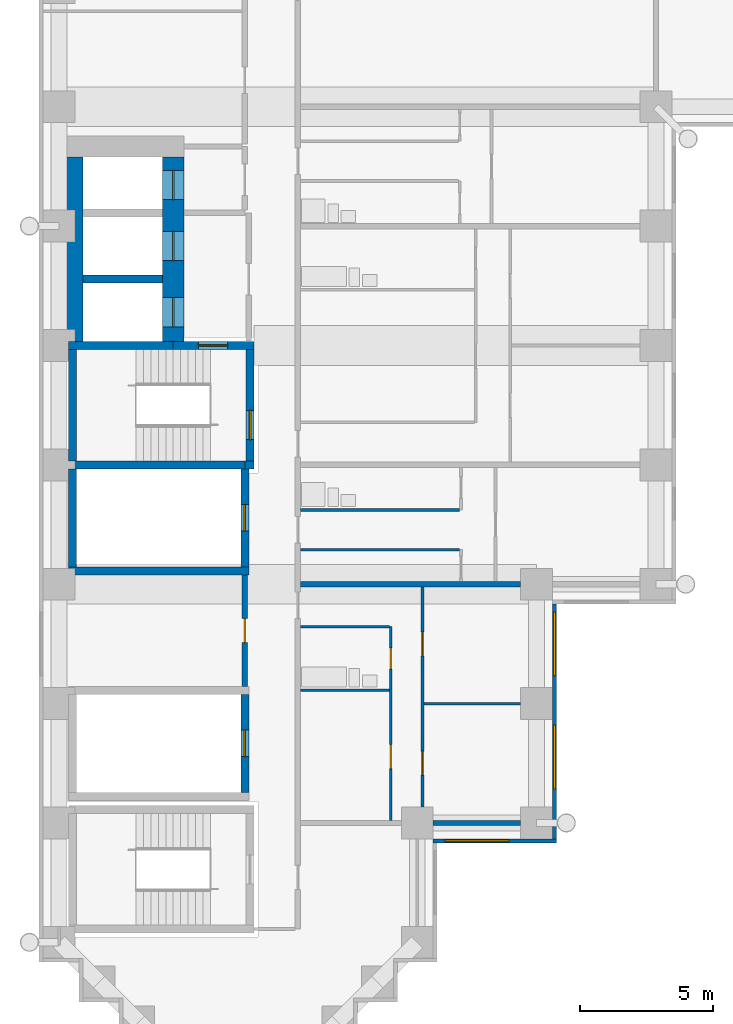
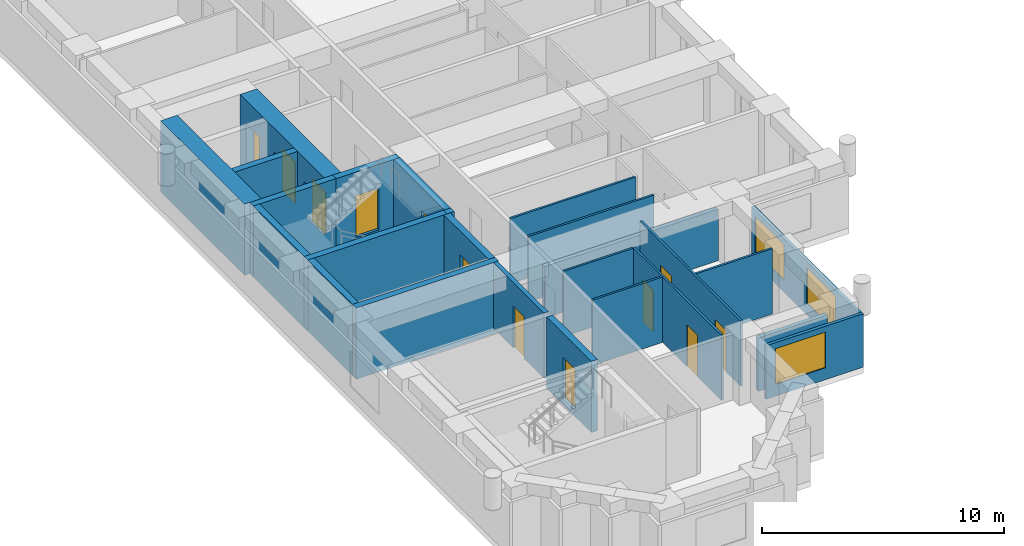
# One storey, part 5 of 14: 25 walls, 12 doors, 3 windows, 15 openings.
"""IFC4 building model written with IfcOpenShell, lengths in metres."""

from ifc_helpers import new_model, si_unit, direction, frame, frame_2d, origin, place, context, subcontext, project, spatial, rectangle, extrude, material, layer, layer_set, type_object, element, fill, save


model = new_model("IFC4")

# Units and contexts
model_context = context("Model", 3, precision=1e-05, world=origin(), true_north=direction((0.0, 1.0)))
body_context = subcontext(model_context, "Body", "Model", "MODEL_VIEW")
ifc_project = project(units=[si_unit("LENGTHUNIT", "METRE"), si_unit("AREAUNIT", "SQUARE_METRE"), si_unit("VOLUMEUNIT", "CUBIC_METRE"), si_unit("PLANEANGLEUNIT", "RADIAN"), si_unit("MASSUNIT", "GRAM", prefix="KILO")], contexts=[model_context])

# Site, building, storey
site_placement = place(None, origin())
site = spatial("IfcSite", under=ifc_project, at=site_placement, CompositionType="ELEMENT")
building_placement = place(site_placement, origin())
building = spatial("IfcBuilding", under=site, at=building_placement, Name="Firuza Court", CompositionType="ELEMENT")
storey_placement = place(building_placement, frame((0.0, 0.0, 47.0)))
storey = spatial("IfcBuildingStorey", under=building, at=storey_placement, Name="L10", CompositionType="ELEMENT", Elevation=47.0)

# Walls
ifc_material_1 = material(Name="Moisture-resistant gypsum board partition")
ifc_layer_1 = layer(ifc_material_1, 0.10009765625)
ifc_layer_set_1 = layer_set([ifc_layer_1], Name="Moisture-resistant gypsum board partition")
wall_type_1 = type_object("IfcWallType", Name="Bathroom partition 100", PredefinedType="PLUMBINGWALL", material=ifc_layer_set_1)
for number, where, z_axis, x_axis, name in (
    (1, (9.10009765625, 14.0, 0.0), (0.0, 0.0, 1.0), (1.0, 0.0, 0.0), "Bathroom partition 100 L10"),
    (2, (9.10009765625, 16.39990234375, 0.0), (0.0, 0.0, 1.0), (1.0, 0.0, 0.0), "Bathroom partition 100 L10"),
):
    element("IfcWall", number, at=place(storey_placement, frame(where, z_axis=z_axis, x_axis=x_axis)), inside=storey, type_object=wall_type_1, Name=name, PredefinedType="PLUMBINGWALL", context=body_context, shape_type="SweptSolid", body=[
        extrude(rectangle(XDim=3.349853515625, YDim=0.10009765625, at=frame_2d((1.6748046875, 0.0))), origin(), (0.0, 0.0, 1.0), 3.300048828125),
    ])
wall_1_placement = place(storey_placement, frame((9.10009765625, 20.800048828125, 0.0), z_axis=(0.0, 0.0, 1.0), x_axis=(1.0, 0.0, 0.0)))
element("IfcWall", 3, at=wall_1_placement, inside=storey, type_object=wall_type_1, Name="Bathroom partition 100 L10", PredefinedType="PLUMBINGWALL", context=body_context, shape_type="SweptSolid", body=[
    extrude(rectangle(XDim=6.0, YDim=0.10009765625, at=frame_2d((3.0, 0.0))), origin(), (0.0, 0.0, 1.0), 3.300048828125),
])
ifc_material_2 = material(Name="Concrete C60/75", Category="concrete")
ifc_layer_2 = layer(ifc_material_2, 0.300048828125)
ifc_layer_set_2 = layer_set([ifc_layer_2], Name="Concrete C60/75")
wall_type_2 = type_object("IfcWallType", Name="Core wall 300 C60/75", PredefinedType="SHEAR", material=ifc_layer_set_2)
wall_2_placement = place(storey_placement, frame((0.35009765625, 18.5, -0.300048828125), z_axis=(0.0, 0.0, 1.0), x_axis=(1.0, 0.0, 0.0)))
element("IfcWall", 4, at=wall_2_placement, inside=storey, type_object=wall_type_2, Name="Core wall riser L10", PredefinedType="SHEAR", context=body_context, shape_type="SweptSolid", body=[
    extrude(rectangle(XDim=6.7998046875, YDim=0.300048828125, at=frame_2d((3.39990234375, 0.0))), origin(), (0.0, 0.0, 1.0), 3.60009765625),
])
wall_3_placement = place(storey_placement, frame((0.35009765625, 22.5, -0.300048828125), z_axis=(0.0, 0.0, 1.0), x_axis=(1.0, 0.0, 0.0)))
element("IfcWall", 5, at=wall_3_placement, inside=storey, type_object=wall_type_2, Name="Core wall riser L10", PredefinedType="SHEAR", context=body_context, shape_type="SweptSolid", body=[
    extrude(rectangle(XDim=6.64990234375, YDim=0.300048828125, at=frame_2d((3.324951171875, 0.0))), origin(), (0.0, 0.0, 1.0), 3.60009765625),
])
wall_4_placement = place(storey_placement, frame((0.35009765625, 27.0, -0.300048828125), z_axis=(0.0, 0.0, 1.0), x_axis=(1.0, 0.0, 0.0)))
element("IfcWall", 6, at=wall_4_placement, inside=storey, type_object=wall_type_2, Name="Core wall lift shaft L10", PredefinedType="SHEAR", context=body_context, shape_type="SweptSolid", body=[
    extrude(rectangle(XDim=3.949951171875, YDim=0.300048828125, at=frame_2d((1.97509765625, 0.0))), origin(), (0.0, 0.0, 1.0), 3.60009765625),
])
wall_5_placement = place(storey_placement, frame((0.5, 18.64990234375, -0.300048828125), z_axis=(0.0, 0.0, 1.0), x_axis=(0.0, 1.0, 0.0)))
element("IfcWall", 7, at=wall_5_placement, inside=storey, type_object=wall_type_2, Name="Core wall riser L10", PredefinedType="SHEAR", context=body_context, shape_type="SweptSolid", body=[
    extrude(rectangle(XDim=3.7001953125, YDim=0.300048828125, at=frame_2d((1.85009765625, 0.0))), origin(), (0.0, 0.0, 1.0), 3.60009765625),
])
wall_6_placement = place(storey_placement, frame((0.5, 22.64990234375, -0.300048828125), z_axis=(0.0, 0.0, 1.0), x_axis=(0.0, 1.0, 0.0)))
element("IfcWall", 8, at=wall_6_placement, inside=storey, type_object=wall_type_2, Name="Core wall stair L10", PredefinedType="SHEAR", context=body_context, shape_type="SweptSolid", body=[
    extrude(rectangle(XDim=4.2001953125, YDim=0.300048828125, at=frame_2d((2.10009765625, 0.0))), origin(), (0.0, 0.0, 1.0), 3.60009765625),
])
wall_7_placement = place(storey_placement, frame((0.89990234375, 29.5, -0.300048828125), z_axis=(0.0, 0.0, 1.0), x_axis=(1.0, 0.0, 0.0)))
element("IfcWall", 9, at=wall_7_placement, inside=storey, type_object=wall_type_2, Name="Core wall lift shaft L10", PredefinedType="SHEAR", context=body_context, shape_type="SweptSolid", body=[
    extrude(rectangle(XDim=3.0, YDim=0.300048828125, at=frame_2d((1.5, 0.0))), origin(), (0.0, 0.0, 1.0), 3.60009765625),
])

# Wall, opening, door
wall_8_placement = place(storey_placement, frame((4.300048828125, 27.0, -0.300048828125), z_axis=(0.0, 0.0, 1.0), x_axis=(1.0, 0.0, 0.0)))
wall_8 = element("IfcWall", 10, at=wall_8_placement, inside=storey, type_object=wall_type_2, Name="Core wall stair L10", PredefinedType="SHEAR", context=body_context, shape_type="SweptSolid", body=[
    extrude(rectangle(XDim=3.050048828125, YDim=0.300048828125, at=frame_2d((1.52490234375, 0.0))), origin(), (0.0, 0.0, 1.0), 3.60009765625),
])
opening_1_placement = place(wall_8_placement, frame((0.949951171875, 0.0, 0.300048828125)))
opening_1 = element("IfcOpeningElement", 11, at=opening_1_placement, cuts=wall_8, Name="Opening D10014", PredefinedType="OPENING", context=body_context, shape_type="SweptSolid", body=[
    extrude(rectangle(XDim=1.10009765625, YDim=2.10009765625, at=frame_2d((0.550048828125, 1.050048828125))), frame((0.0, 0.162109375, 0.0), z_axis=(0.0, -1.0, 0.0), x_axis=(1.0, 0.0, 0.0)), (0.0, 0.0, 1.0), 0.323974609375),
])
ifc_material_3 = material(Name="Timber door leaf in hardwood frame", Category="wood")
door_type_1 = type_object("IfcDoorType", Name="Stair door 1100", OperationType="SINGLE_SWING_LEFT", PredefinedType="DOOR", material=ifc_material_3)
door_1_placement = place(opening_1_placement, frame((1.10009765625, 0.0, 0.0), z_axis=(0.0, 0.0, 1.0), x_axis=(-1.0, 0.0, 0.0)))
door_1 = element("IfcDoor", 12, at=door_1_placement, inside=storey, type_object=door_type_1, Name="Fire-fighting lobby door", OperationType="SINGLE_SWING_LEFT", OverallHeight=2.10009765625, OverallWidth=1.10009765625, PredefinedType="DOOR", context=body_context, shape_type="SweptSolid", body=[
    extrude(rectangle(XDim=1.10009765625, YDim=2.10009765625, at=frame_2d((0.550048828125, 1.050048828125))), frame((0.0, 0.02490234375, 0.0), z_axis=(0.0, -1.0, 0.0), x_axis=(1.0, 0.0, 0.0)), (0.0, 0.0, 1.0), 0.050048828125),
])
fill(opening_1, door_1)

wall_9_placement = place(storey_placement, frame((7.0, 10.14990234375, -0.300048828125), z_axis=(0.0, 0.0, 1.0), x_axis=(0.0, 1.0, 0.0)))
wall_9 = element("IfcWall", 13, at=wall_9_placement, inside=storey, type_object=wall_type_2, Name="Core wall riser L10", PredefinedType="SHEAR", context=body_context, shape_type="SweptSolid", body=[
    extrude(rectangle(XDim=3.7001953125, YDim=0.300048828125, at=frame_2d((1.85009765625, 0.0))), origin(), (0.0, 0.0, 1.0), 3.60009765625),
])
opening_2_placement = place(wall_9_placement, frame((1.35009765625, 0.0, 0.300048828125)))
opening_2 = element("IfcOpeningElement", 14, at=opening_2_placement, cuts=wall_9, Name="Opening D10012", PredefinedType="OPENING", context=body_context, shape_type="SweptSolid", body=[
    extrude(rectangle(XDim=1.0, YDim=2.10009765625, at=frame_2d((0.5, 1.050048828125))), frame((0.0, 0.162109375, 0.0), z_axis=(0.0, -1.0, 0.0), x_axis=(1.0, 0.0, 0.0)), (0.0, 0.0, 1.0), 0.323974609375),
])
ifc_material_4 = material(Name="Timber door leaf in hardwood frame", Category="wood")
door_type_2 = type_object("IfcDoorType", Name="Riser door 1000", OperationType="SINGLE_SWING_LEFT", PredefinedType="DOOR", material=ifc_material_4)
door_2_placement = place(opening_2_placement, origin())
door_2 = element("IfcDoor", 15, at=door_2_placement, inside=storey, type_object=door_type_2, Name="Riser door R4", OperationType="SINGLE_SWING_LEFT", OverallHeight=2.10009765625, OverallWidth=1.0, PredefinedType="DOOR", context=body_context, shape_type="SweptSolid", body=[
    extrude(rectangle(XDim=1.0, YDim=2.10009765625, at=frame_2d((0.5, 1.050048828125))), frame((0.0, 0.02490234375, 0.0), z_axis=(0.0, -1.0, 0.0), x_axis=(1.0, 0.0, 0.0)), (0.0, 0.0, 1.0), 0.050048828125),
])
fill(opening_2, door_2)

wall_10_placement = place(storey_placement, frame((7.0, 18.64990234375, -0.300048828125), z_axis=(0.0, 0.0, 1.0), x_axis=(0.0, 1.0, 0.0)))
wall_10 = element("IfcWall", 16, at=wall_10_placement, inside=storey, type_object=wall_type_2, Name="Core wall riser L10", PredefinedType="SHEAR", context=body_context, shape_type="SweptSolid", body=[
    extrude(rectangle(XDim=3.7001953125, YDim=0.300048828125, at=frame_2d((1.85009765625, 0.0))), origin(), (0.0, 0.0, 1.0), 3.60009765625),
])
opening_3_placement = place(wall_10_placement, frame((1.35009765625, 0.0, 0.300048828125)))
opening_3 = element("IfcOpeningElement", 17, at=opening_3_placement, cuts=wall_10, Name="Opening D10010", PredefinedType="OPENING", context=body_context, shape_type="SweptSolid", body=[
    extrude(rectangle(XDim=1.0, YDim=2.10009765625, at=frame_2d((0.5, 1.050048828125))), frame((0.0, 0.162109375, 0.0), z_axis=(0.0, -1.0, 0.0), x_axis=(1.0, 0.0, 0.0)), (0.0, 0.0, 1.0), 0.323974609375),
])
door_3_placement = place(opening_3_placement, origin())
door_3 = element("IfcDoor", 18, at=door_3_placement, inside=storey, type_object=door_type_2, Name="Riser door R1", OperationType="SINGLE_SWING_LEFT", OverallHeight=2.10009765625, OverallWidth=1.0, PredefinedType="DOOR", context=body_context, shape_type="SweptSolid", body=[
    extrude(rectangle(XDim=1.0, YDim=2.10009765625, at=frame_2d((0.5, 1.050048828125))), frame((0.0, 0.02490234375, 0.0), z_axis=(0.0, -1.0, 0.0), x_axis=(1.0, 0.0, 0.0)), (0.0, 0.0, 1.0), 0.050048828125),
])
fill(opening_3, door_3)

# Wall
wall_11_placement = place(storey_placement, frame((7.0, 22.5, -0.300048828125), z_axis=(0.0, 0.0, 1.0), x_axis=(1.0, 0.0, 0.0)))
element("IfcWall", 19, at=wall_11_placement, inside=storey, type_object=wall_type_2, Name="Core wall stair L10", PredefinedType="SHEAR", context=body_context, shape_type="SweptSolid", body=[
    extrude(rectangle(XDim=0.35009765625, YDim=0.300048828125, at=frame_2d((0.175048828125, 0.0))), origin(), (0.0, 0.0, 1.0), 3.60009765625),
])

# Wall, opening, door
wall_12_placement = place(storey_placement, frame((7.199951171875, 22.64990234375, -0.300048828125), z_axis=(0.0, 0.0, 1.0), x_axis=(0.0, 1.0, 0.0)))
wall_12 = element("IfcWall", 20, at=wall_12_placement, inside=storey, type_object=wall_type_2, Name="Core wall stair L10", PredefinedType="SHEAR", context=body_context, shape_type="SweptSolid", body=[
    extrude(rectangle(XDim=4.2001953125, YDim=0.300048828125, at=frame_2d((2.10009765625, 0.0))), origin(), (0.0, 0.0, 1.0), 3.60009765625),
])
opening_4_placement = place(wall_12_placement, frame((0.800048828125, 0.0, 0.300048828125)))
opening_4 = element("IfcOpeningElement", 21, at=opening_4_placement, cuts=wall_12, Name="Opening D10015", PredefinedType="OPENING", context=body_context, shape_type="SweptSolid", body=[
    extrude(rectangle(XDim=1.10009765625, YDim=2.10009765625, at=frame_2d((0.550048828125, 1.050048828125))), frame((0.0, 0.162109375, 0.0), z_axis=(0.0, -1.0, 0.0), x_axis=(1.0, 0.0, 0.0)), (0.0, 0.0, 1.0), 0.323974609375),
])
door_4_placement = place(opening_4_placement, origin())
door_4 = element("IfcDoor", 22, at=door_4_placement, inside=storey, type_object=door_type_1, Name="Stair door S2", OperationType="SINGLE_SWING_LEFT", OverallHeight=2.10009765625, OverallWidth=1.10009765625, PredefinedType="DOOR", context=body_context, shape_type="SweptSolid", body=[
    extrude(rectangle(XDim=1.10009765625, YDim=2.10009765625, at=frame_2d((0.550048828125, 1.050048828125))), frame((0.0, 0.02490234375, 0.0), z_axis=(0.0, -1.0, 0.0), x_axis=(1.0, 0.0, 0.0)), (0.0, 0.0, 1.0), 0.050048828125),
])
fill(opening_4, door_4)

# Wall
ifc_layer_3 = layer(ifc_material_2, 0.800048828125)
ifc_layer_set_3 = layer_set([ifc_layer_3], Name="Concrete C60/75")
wall_type_3 = type_object("IfcWallType", Name="Core wall 800 C60/75", PredefinedType="SHEAR", material=ifc_layer_set_3)
wall_13_placement = place(storey_placement, frame((0.5, 27.14990234375, -0.300048828125), z_axis=(0.0, 0.0, 1.0), x_axis=(0.0, 1.0, 0.0)))
element("IfcWall", 23, at=wall_13_placement, inside=storey, type_object=wall_type_3, Name="Core wall lift shaft L10", PredefinedType="SHEAR", context=body_context, shape_type="SweptSolid", body=[
    extrude(rectangle(XDim=6.9501953125, YDim=0.800048828125, at=frame_2d((3.47509765625, 0.0))), origin(), (0.0, 0.0, 1.0), 3.60009765625),
])

# Wall, openings, doors
wall_14_placement = place(storey_placement, frame((4.300048828125, 27.14990234375, -0.300048828125), z_axis=(0.0, 0.0, 1.0), x_axis=(0.0, 1.0, 0.0)))
wall_14 = element("IfcWall", 24, at=wall_14_placement, inside=storey, type_object=wall_type_3, Name="Core wall lift shaft L10", PredefinedType="SHEAR", context=body_context, shape_type="SweptSolid", body=[
    extrude(rectangle(XDim=6.9501953125, YDim=0.800048828125, at=frame_2d((3.47509765625, 0.0))), origin(), (0.0, 0.0, 1.0), 3.60009765625),
])
opening_5_placement = place(wall_14_placement, frame((3.050048828125, 0.0, 0.300048828125)))
opening_5 = element("IfcOpeningElement", 25, at=opening_5_placement, cuts=wall_14, Name="Opening LD-FL1-10", PredefinedType="OPENING", context=body_context, shape_type="SweptSolid", body=[
    extrude(rectangle(XDim=1.10009765625, YDim=2.10009765625, at=frame_2d((0.550048828125, 1.050048828125))), frame((0.0, 0.412109375, 0.0), z_axis=(0.0, -1.0, 0.0), x_axis=(1.0, 0.0, 0.0)), (0.0, 0.0, 1.0), 0.823974609375),
])
opening_6_placement = place(wall_14_placement, frame((0.550048828125, 0.0, 0.300048828125)))
opening_6 = element("IfcOpeningElement", 26, at=opening_6_placement, cuts=wall_14, Name="Opening LD-FL2-10", PredefinedType="OPENING", context=body_context, shape_type="SweptSolid", body=[
    extrude(rectangle(XDim=1.10009765625, YDim=2.10009765625, at=frame_2d((0.550048828125, 1.050048828125))), frame((0.0, 0.412109375, 0.0), z_axis=(0.0, -1.0, 0.0), x_axis=(1.0, 0.0, 0.0)), (0.0, 0.0, 1.0), 0.823974609375),
])
opening_7_placement = place(wall_14_placement, frame((5.35009765625, 0.0, 0.300048828125)))
opening_7 = element("IfcOpeningElement", 27, at=opening_7_placement, cuts=wall_14, Name="Opening LD-SL1-10", PredefinedType="OPENING", context=body_context, shape_type="SweptSolid", body=[
    extrude(rectangle(XDim=1.10009765625, YDim=2.10009765625, at=frame_2d((0.550048828125, 1.050048828125))), frame((0.0, 0.412109375, 0.0), z_axis=(0.0, -1.0, 0.0), x_axis=(1.0, 0.0, 0.0)), (0.0, 0.0, 1.0), 0.823974609375),
])
ifc_material_5 = material(Name="Stainless steel 1.4301 door leaf", Category="steel")
door_type_3 = type_object("IfcDoorType", Name="Lift landing door 1100", OperationType="SLIDING_TO_LEFT", PredefinedType="DOOR", material=ifc_material_5)
door_5_placement = place(opening_5_placement, origin())
door_5 = element("IfcDoor", 28, at=door_5_placement, inside=storey, type_object=door_type_3, Name="Landing door FL1", OperationType="SLIDING_TO_LEFT", OverallHeight=2.10009765625, OverallWidth=1.10009765625, PredefinedType="DOOR", context=body_context, shape_type="SweptSolid", body=[
    extrude(rectangle(XDim=1.10009765625, YDim=2.10009765625, at=frame_2d((0.550048828125, 1.050048828125))), frame((0.0, 0.02490234375, 0.0), z_axis=(0.0, -1.0, 0.0), x_axis=(1.0, 0.0, 0.0)), (0.0, 0.0, 1.0), 0.050048828125),
])
fill(opening_5, door_5)
door_6_placement = place(opening_6_placement, origin())
door_6 = element("IfcDoor", 29, at=door_6_placement, inside=storey, type_object=door_type_3, Name="Landing door FL2", OperationType="SLIDING_TO_LEFT", OverallHeight=2.10009765625, OverallWidth=1.10009765625, PredefinedType="DOOR", context=body_context, shape_type="SweptSolid", body=[
    extrude(rectangle(XDim=1.10009765625, YDim=2.10009765625, at=frame_2d((0.550048828125, 1.050048828125))), frame((0.0, 0.02490234375, 0.0), z_axis=(0.0, -1.0, 0.0), x_axis=(1.0, 0.0, 0.0)), (0.0, 0.0, 1.0), 0.050048828125),
])
fill(opening_6, door_6)
door_7_placement = place(opening_7_placement, origin())
door_7 = element("IfcDoor", 30, at=door_7_placement, inside=storey, type_object=door_type_3, Name="Landing door SL1", OperationType="SLIDING_TO_LEFT", OverallHeight=2.10009765625, OverallWidth=1.10009765625, PredefinedType="DOOR", context=body_context, shape_type="SweptSolid", body=[
    extrude(rectangle(XDim=1.10009765625, YDim=2.10009765625, at=frame_2d((0.550048828125, 1.050048828125))), frame((0.0, 0.02490234375, 0.0), z_axis=(0.0, -1.0, 0.0), x_axis=(1.0, 0.0, 0.0)), (0.0, 0.0, 1.0), 0.050048828125),
])
fill(opening_7, door_7)

# Wall, opening, door
ifc_material_6 = material(Name="Blockwork, plastered both sides", Category="masonry")
ifc_layer_4 = layer(ifc_material_6, 0.199951171875)
ifc_layer_set_4 = layer_set([ifc_layer_4], Name="Blockwork, plastered both sides")
wall_type_4 = type_object("IfcWallType", Name="Corridor wall 200", PredefinedType="PARTITIONING", material=ifc_layer_set_4)
wall_15_placement = place(storey_placement, frame((7.0, 14.14990234375, 0.0), z_axis=(0.0, 0.0, 1.0), x_axis=(0.0, 1.0, 0.0)))
wall_15 = element("IfcWall", 31, at=wall_15_placement, inside=storey, type_object=wall_type_4, Name="Corridor wall 200 L10", PredefinedType="PARTITIONING", context=body_context, shape_type="SweptSolid", body=[
    extrude(rectangle(XDim=4.2001953125, YDim=0.199951171875, at=frame_2d((2.10009765625, 0.0))), origin(), (0.0, 0.0, 1.0), 3.300048828125),
])
opening_8_placement = place(wall_15_placement, frame((1.64990234375, 0.0, 0.0)))
opening_8 = element("IfcOpeningElement", 32, at=opening_8_placement, cuts=wall_15, Name="Opening D10029", PredefinedType="OPENING", context=body_context, shape_type="SweptSolid", body=[
    extrude(rectangle(XDim=0.89990234375, YDim=2.10009765625, at=frame_2d((0.449951171875, 1.050048828125))), frame((0.0, 0.11181640625, 0.0), z_axis=(0.0, -1.0, 0.0), x_axis=(1.0, 0.0, 0.0)), (0.0, 0.0, 1.0), 0.223876953125),
])
ifc_material_7 = material(Name="Timber door leaf in hardwood frame", Category="wood")
door_type_4 = type_object("IfcDoorType", Name="Room door 900 EI 30", OperationType="SINGLE_SWING_LEFT", PredefinedType="DOOR", material=ifc_material_7)
door_8_placement = place(opening_8_placement, origin())
door_8 = element("IfcDoor", 33, at=door_8_placement, inside=storey, type_object=door_type_4, Name="Meeting room door", OperationType="SINGLE_SWING_LEFT", OverallHeight=2.10009765625, OverallWidth=0.89990234375, PredefinedType="DOOR", context=body_context, shape_type="SweptSolid", body=[
    extrude(rectangle(XDim=0.89990234375, YDim=2.10009765625, at=frame_2d((0.449951171875, 1.050048828125))), frame((0.0, 0.02490234375, 0.0), z_axis=(0.0, -1.0, 0.0), x_axis=(1.0, 0.0, 0.0)), (0.0, 0.0, 1.0), 0.050048828125),
])
fill(opening_8, door_8)

# Wall, openings, doors
ifc_material_8 = material(Name="Timber stud partition, plasterboard both sides", Category="wood")
ifc_layer_5 = layer(ifc_material_8, 0.10009765625)
ifc_layer_set_5 = layer_set([ifc_layer_5], Name="Timber stud partition, plasterboard both sides")
wall_type_5 = type_object("IfcWallType", Name="Partition wall 100", PredefinedType="PARTITIONING", material=ifc_layer_set_5)
wall_16_placement = place(storey_placement, frame((12.5, 9.10009765625, 0.0), z_axis=(0.0, 0.0, 1.0), x_axis=(0.0, 1.0, 0.0)))
wall_16 = element("IfcWall", 34, at=wall_16_placement, inside=storey, type_object=wall_type_5, Name="Partition wall 100 L10", PredefinedType="PARTITIONING", context=body_context, shape_type="SweptSolid", body=[
    extrude(rectangle(XDim=7.2998046875, YDim=0.10009765625, at=frame_2d((3.64990234375, 0.0))), origin(), (0.0, 0.0, 1.0), 3.300048828125),
])
opening_9_placement = place(wall_16_placement, frame((5.699951171875, 0.0, 0.0)))
opening_9 = element("IfcOpeningElement", 35, at=opening_9_placement, cuts=wall_16, Name="Opening D10025", PredefinedType="OPENING", context=body_context, shape_type="SweptSolid", body=[
    extrude(rectangle(XDim=0.800048828125, YDim=2.10009765625, at=frame_2d((0.39990234375, 1.050048828125))), frame((0.0, 0.06201171875, 0.0), z_axis=(0.0, -1.0, 0.0), x_axis=(1.0, 0.0, 0.0)), (0.0, 0.0, 1.0), 0.1240234375),
])
opening_10_placement = place(wall_16_placement, frame((1.949951171875, 0.0, 0.0)))
opening_10 = element("IfcOpeningElement", 36, at=opening_10_placement, cuts=wall_16, Name="Opening D10026", PredefinedType="OPENING", context=body_context, shape_type="SweptSolid", body=[
    extrude(rectangle(XDim=0.89990234375, YDim=2.10009765625, at=frame_2d((0.449951171875, 1.050048828125))), frame((0.0, 0.06201171875, 0.0), z_axis=(0.0, -1.0, 0.0), x_axis=(1.0, 0.0, 0.0)), (0.0, 0.0, 1.0), 0.1240234375),
])
ifc_material_9 = material(Name="Timber door leaf in hardwood frame", Category="wood")
door_type_5 = type_object("IfcDoorType", Name="Bathroom door 800", OperationType="SINGLE_SWING_LEFT", PredefinedType="DOOR", material=ifc_material_9)
door_9_placement = place(opening_9_placement, origin())
door_9 = element("IfcDoor", 37, at=door_9_placement, inside=storey, type_object=door_type_5, Name="Bathroom door", OperationType="SINGLE_SWING_LEFT", OverallHeight=2.10009765625, OverallWidth=0.800048828125, PredefinedType="DOOR", context=body_context, shape_type="SweptSolid", body=[
    extrude(rectangle(XDim=0.800048828125, YDim=2.10009765625, at=frame_2d((0.39990234375, 1.050048828125))), frame((0.0, 0.02490234375, 0.0), z_axis=(0.0, -1.0, 0.0), x_axis=(1.0, 0.0, 0.0)), (0.0, 0.0, 1.0), 0.050048828125),
])
fill(opening_9, door_9)
ifc_material_10 = material(Name="Timber door leaf in hardwood frame", Category="wood")
door_type_6 = type_object("IfcDoorType", Name="Room door 900", OperationType="SINGLE_SWING_LEFT", PredefinedType="DOOR", material=ifc_material_10)
door_10_placement = place(opening_10_placement, origin())
door_10 = element("IfcDoor", 38, at=door_10_placement, inside=storey, type_object=door_type_6, Name="Kitchen door", OperationType="SINGLE_SWING_LEFT", OverallHeight=2.10009765625, OverallWidth=0.89990234375, PredefinedType="DOOR", context=body_context, shape_type="SweptSolid", body=[
    extrude(rectangle(XDim=0.89990234375, YDim=2.10009765625, at=frame_2d((0.449951171875, 1.050048828125))), frame((0.0, 0.02490234375, 0.0), z_axis=(0.0, -1.0, 0.0), x_axis=(1.0, 0.0, 0.0)), (0.0, 0.0, 1.0), 0.050048828125),
])
fill(opening_10, door_10)

wall_17_placement = place(storey_placement, frame((13.699951171875, 9.60009765625, 0.0), z_axis=(0.0, 0.0, 1.0), x_axis=(0.0, 1.0, 0.0)))
wall_17 = element("IfcWall", 39, at=wall_17_placement, inside=storey, type_object=wall_type_5, Name="Partition wall 100 L10", PredefinedType="PARTITIONING", context=body_context, shape_type="SweptSolid", body=[
    extrude(rectangle(XDim=8.2998046875, YDim=0.10009765625, at=frame_2d((4.14990234375, 0.0))), origin(), (0.0, 0.0, 1.0), 3.300048828125),
])
opening_11_placement = place(wall_17_placement, frame((1.199951171875, 0.0, 0.0)))
opening_11 = element("IfcOpeningElement", 40, at=opening_11_placement, cuts=wall_17, Name="Opening D10027", PredefinedType="OPENING", context=body_context, shape_type="SweptSolid", body=[
    extrude(rectangle(XDim=0.89990234375, YDim=2.10009765625, at=frame_2d((0.449951171875, 1.050048828125))), frame((0.0, 0.06201171875, 0.0), z_axis=(0.0, -1.0, 0.0), x_axis=(1.0, 0.0, 0.0)), (0.0, 0.0, 1.0), 0.1240234375),
])
opening_12_placement = place(wall_17_placement, frame((5.699951171875, 0.0, 0.0)))
opening_12 = element("IfcOpeningElement", 41, at=opening_12_placement, cuts=wall_17, Name="Opening D10028", PredefinedType="OPENING", context=body_context, shape_type="SweptSolid", body=[
    extrude(rectangle(XDim=0.89990234375, YDim=2.10009765625, at=frame_2d((0.449951171875, 1.050048828125))), frame((0.0, 0.06201171875, 0.0), z_axis=(0.0, -1.0, 0.0), x_axis=(1.0, 0.0, 0.0)), (0.0, 0.0, 1.0), 0.1240234375),
])
door_11_placement = place(opening_11_placement, frame((0.89990234375, 0.0, 0.0), z_axis=(0.0, 0.0, 1.0), x_axis=(-1.0, 0.0, 0.0)))
door_11 = element("IfcDoor", 42, at=door_11_placement, inside=storey, type_object=door_type_6, Name="Bedroom door", OperationType="SINGLE_SWING_RIGHT", OverallHeight=2.10009765625, OverallWidth=0.89990234375, PredefinedType="DOOR", context=body_context, shape_type="SweptSolid", body=[
    extrude(rectangle(XDim=0.89990234375, YDim=2.10009765625, at=frame_2d((0.449951171875, 1.050048828125))), frame((0.0, 0.02490234375, 0.0), z_axis=(0.0, -1.0, 0.0), x_axis=(1.0, 0.0, 0.0)), (0.0, 0.0, 1.0), 0.050048828125),
])
fill(opening_11, door_11)
door_12_placement = place(opening_12_placement, frame((0.89990234375, 0.0, 0.0), z_axis=(0.0, 0.0, 1.0), x_axis=(-1.0, 0.0, 0.0)))
door_12 = element("IfcDoor", 43, at=door_12_placement, inside=storey, type_object=door_type_6, Name="Living room door", OperationType="SINGLE_SWING_RIGHT", OverallHeight=2.10009765625, OverallWidth=0.89990234375, PredefinedType="DOOR", context=body_context, shape_type="SweptSolid", body=[
    extrude(rectangle(XDim=0.89990234375, YDim=2.10009765625, at=frame_2d((0.449951171875, 1.050048828125))), frame((0.0, 0.02490234375, 0.0), z_axis=(0.0, -1.0, 0.0), x_axis=(1.0, 0.0, 0.0)), (0.0, 0.0, 1.0), 0.050048828125),
])
fill(opening_12, door_12)

# Walls
wall_18_placement = place(storey_placement, frame((13.75, 13.5, 0.0), z_axis=(0.0, 0.0, 1.0), x_axis=(1.0, 0.0, 0.0)))
element("IfcWall", 44, at=wall_18_placement, inside=storey, type_object=wall_type_5, Name="Partition wall 100 L10", PredefinedType="PARTITIONING", context=body_context, shape_type="SweptSolid", body=[
    extrude(rectangle(XDim=3.64990234375, YDim=0.10009765625, at=frame_2d((1.824951171875, 0.0))), origin(), (0.0, 0.0, 1.0), 3.300048828125),
])
wall_19_placement = place(storey_placement, frame((9.10009765625, 19.300048828125, 0.0), z_axis=(0.0, 0.0, 1.0), x_axis=(1.0, 0.0, 0.0)))
element("IfcWall", 45, at=wall_19_placement, inside=storey, type_object=wall_type_5, Name="Partition wall 100 L10", PredefinedType="PARTITIONING", context=body_context, shape_type="SweptSolid", body=[
    extrude(rectangle(XDim=6.0, YDim=0.10009765625, at=frame_2d((3.0, 0.0))), origin(), (0.0, 0.0, 1.0), 3.300048828125),
])
ifc_layer_6 = layer(ifc_material_6, 0.199951171875)
ifc_layer_set_6 = layer_set([ifc_layer_6], Name="Blockwork, plastered both sides")
wall_type_6 = type_object("IfcWallType", Name="Party wall 200", PredefinedType="PARTITIONING", material=ifc_layer_set_6)
wall_20_placement = place(storey_placement, frame((14.10009765625, 9.0, 0.0), z_axis=(0.0, 0.0, 1.0), x_axis=(1.0, 0.0, 0.0)))
element("IfcWall", 46, at=wall_20_placement, inside=storey, type_object=wall_type_6, Name="Party wall 200 L10", PredefinedType="PARTITIONING", context=body_context, shape_type="SweptSolid", body=[
    extrude(rectangle(XDim=3.2998046875, YDim=0.199951171875, at=frame_2d((1.64990234375, 0.0))), origin(), (0.0, 0.0, 1.0), 2.699951171875),
])
wall_21_placement = place(storey_placement, frame((9.10009765625, 18.0, 0.0), z_axis=(0.0, 0.0, 1.0), x_axis=(1.0, 0.0, 0.0)))
element("IfcWall", 47, at=wall_21_placement, inside=storey, type_object=wall_type_6, Name="Party wall 200 L10", PredefinedType="PARTITIONING", context=body_context, shape_type="SweptSolid", body=[
    extrude(rectangle(XDim=8.2998046875, YDim=0.199951171875, at=frame_2d((4.14990234375, 0.0))), origin(), (0.0, 0.0, 1.0), 2.60009765625),
])

# Wall, opening, window
ifc_material_11 = material(Name="Ceramic tile", Category="ceramic")
ifc_layer_7 = layer(ifc_material_11, 0.02001953125)
ifc_material_12 = material(Name="Mineral wool insulation", Category="insulation")
ifc_layer_8 = layer(ifc_material_12, 0.050048828125)
ifc_material_13 = material(Name="Concrete C40/50 precast", Category="concrete")
ifc_layer_9 = layer(ifc_material_13, 0.080078125)
ifc_layer_set_7 = layer_set([ifc_layer_7, ifc_layer_8, ifc_layer_9], Name="Concrete C40/50 precast")
wall_type_7 = type_object("IfcWallType", Name="Precast cladding wall with turquoise TILE PANEL face 150", PredefinedType="STANDARD", material=ifc_layer_set_7)
wall_22_placement = place(storey_placement, frame((14.10009765625, 8.324951171875, 0.0), z_axis=(0.0, 0.0, 1.0), x_axis=(1.0, 0.0, 0.0)))
wall_22 = element("IfcWall", 48, at=wall_22_placement, inside=storey, type_object=wall_type_7, Name="Facade wall L10 S", PredefinedType="STANDARD", context=body_context, shape_type="SweptSolid", body=[
    extrude(rectangle(XDim=4.64990234375, YDim=0.14990234375, at=frame_2d((2.324951171875, 0.0))), origin(), (0.0, 0.0, 1.0), 2.699951171875),
])
opening_13_placement = place(wall_22_placement, frame((0.449951171875, 0.0, 0.60009765625)))
opening_13 = element("IfcOpeningElement", 49, at=opening_13_placement, cuts=wall_22, Name="Opening W1", PredefinedType="OPENING", context=body_context, shape_type="SweptSolid", body=[
    extrude(rectangle(XDim=2.39990234375, YDim=1.800048828125, at=frame_2d((1.199951171875, 0.89990234375))), frame((0.0, 0.0869140625, 0.0), z_axis=(0.0, -1.0, 0.0), x_axis=(1.0, 0.0, 0.0)), (0.0, 0.0, 1.0), 0.173828125),
])
ifc_material_14 = material(Name="Aluminium frame, triple clear glazing", Category="aluminium")
window_type = type_object("IfcWindowType", Name="Window W1 2400 x 1800", PartitioningType="SINGLE_PANEL", PredefinedType="WINDOW", material=ifc_material_14)
window_1_placement = place(opening_13_placement, origin())
window_1 = element("IfcWindow", 50, at=window_1_placement, inside=storey, type_object=window_type, Name="Window L10", OverallHeight=1.800048828125, OverallWidth=2.39990234375, PartitioningType="SINGLE_PANEL", PredefinedType="WINDOW", context=body_context, shape_type="SweptSolid", body=[
    extrude(rectangle(XDim=2.39990234375, YDim=1.800048828125, at=frame_2d((1.199951171875, 0.89990234375))), frame((0.0, 0.030029296875, 0.0), z_axis=(0.0, -1.0, 0.0), x_axis=(1.0, 0.0, 0.0)), (0.0, 0.0, 1.0), 0.06005859375),
])
fill(opening_13, window_1)

# Wall, openings, windows
wall_23_placement = place(storey_placement, frame((18.675048828125, 8.39990234375, 0.0), z_axis=(0.0, 0.0, 1.0), x_axis=(0.0, 1.0, 0.0)))
wall_23 = element("IfcWall", 51, at=wall_23_placement, inside=storey, type_object=wall_type_7, Name="Facade wall L10 E", PredefinedType="STANDARD", context=body_context, shape_type="SweptSolid", body=[
    extrude(rectangle(XDim=8.85009765625, YDim=0.14990234375, at=frame_2d((4.425048828125, 0.0))), origin(), (0.0, 0.0, 1.0), 2.699951171875),
])
opening_14_placement = place(wall_23_placement, frame((1.8876953125, 0.0, 0.60009765625)))
opening_14 = element("IfcOpeningElement", 52, at=opening_14_placement, cuts=wall_23, Name="Opening W1", PredefinedType="OPENING", context=body_context, shape_type="SweptSolid", body=[
    extrude(rectangle(XDim=2.39990234375, YDim=1.800048828125, at=frame_2d((1.199951171875, 0.89990234375))), frame((0.0, 0.0869140625, 0.0), z_axis=(0.0, -1.0, 0.0), x_axis=(1.0, 0.0, 0.0)), (0.0, 0.0, 1.0), 0.173828125),
])
opening_15_placement = place(wall_23_placement, frame((6.14990234375, 0.0, 0.60009765625)))
opening_15 = element("IfcOpeningElement", 53, at=opening_15_placement, cuts=wall_23, Name="Opening W1", PredefinedType="OPENING", context=body_context, shape_type="SweptSolid", body=[
    extrude(rectangle(XDim=2.39990234375, YDim=1.800048828125, at=frame_2d((1.199951171875, 0.89990234375))), frame((0.0, 0.0869140625, 0.0), z_axis=(0.0, -1.0, 0.0), x_axis=(1.0, 0.0, 0.0)), (0.0, 0.0, 1.0), 0.173828125),
])
window_2_placement = place(opening_14_placement, origin())
window_2 = element("IfcWindow", 54, at=window_2_placement, inside=storey, type_object=window_type, Name="Window L10", OverallHeight=1.800048828125, OverallWidth=2.39990234375, PartitioningType="SINGLE_PANEL", PredefinedType="WINDOW", context=body_context, shape_type="SweptSolid", body=[
    extrude(rectangle(XDim=2.39990234375, YDim=1.800048828125, at=frame_2d((1.199951171875, 0.89990234375))), frame((0.0, 0.030029296875, 0.0), z_axis=(0.0, -1.0, 0.0), x_axis=(1.0, 0.0, 0.0)), (0.0, 0.0, 1.0), 0.06005859375),
])
fill(opening_14, window_2)
window_3_placement = place(opening_15_placement, origin())
window_3 = element("IfcWindow", 55, at=window_3_placement, inside=storey, type_object=window_type, Name="Window L10", OverallHeight=1.800048828125, OverallWidth=2.39990234375, PartitioningType="SINGLE_PANEL", PredefinedType="WINDOW", context=body_context, shape_type="SweptSolid", body=[
    extrude(rectangle(XDim=2.39990234375, YDim=1.800048828125, at=frame_2d((1.199951171875, 0.89990234375))), frame((0.0, 0.030029296875, 0.0), z_axis=(0.0, -1.0, 0.0), x_axis=(1.0, 0.0, 0.0)), (0.0, 0.0, 1.0), 0.06005859375),
])
fill(opening_15, window_3)

save(model, "model.ifc")
